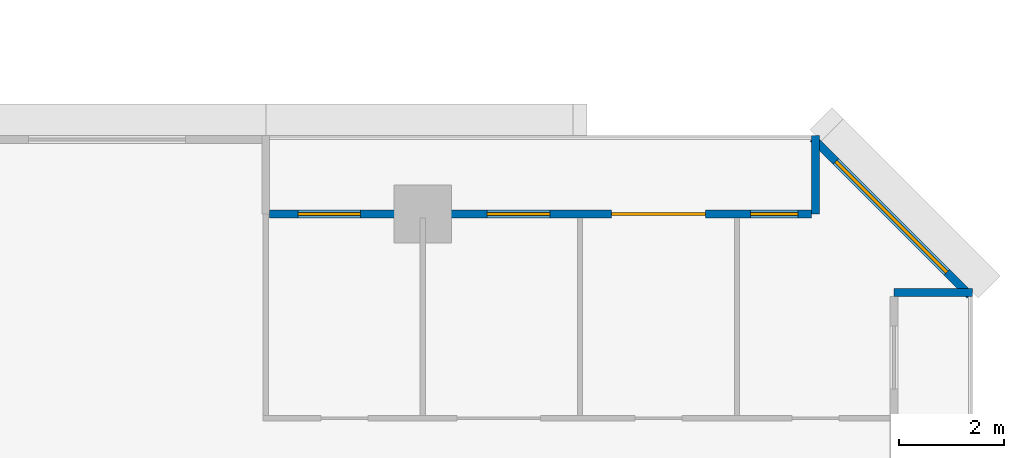
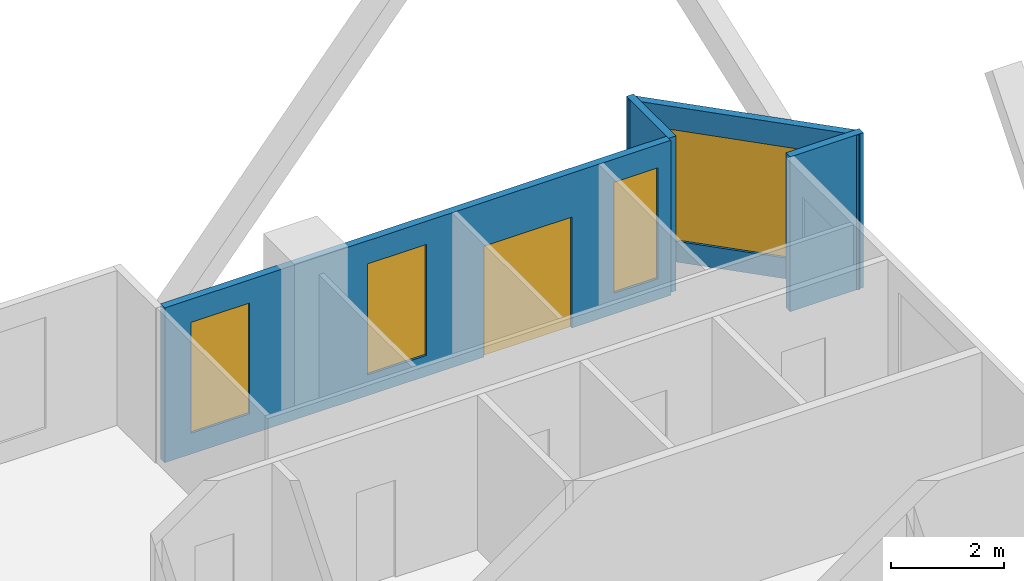
# One storey, part 13 of 16: 4 walls, 4 windows, 1 door, 5 openings.
"""IFC4 building model written with IfcOpenShell, lengths in metres."""

from ifc_helpers import new_model, si_unit, direction, frame, frame_2d, origin, place, context, subcontext, project, spatial, rectangle, extrude, material, layer, layer_set, type_object, element, fill, save


model = new_model("IFC4")

# Units and contexts
model_context = context("Model", 3, precision=1e-05, world=origin(), true_north=direction((0.0, 1.0)))
body_context = subcontext(model_context, "Body", "Model", "MODEL_VIEW")
ifc_project = project(units=[si_unit("LENGTHUNIT", "METRE"), si_unit("AREAUNIT", "SQUARE_METRE"), si_unit("VOLUMEUNIT", "CUBIC_METRE"), si_unit("PLANEANGLEUNIT", "RADIAN"), si_unit("MASSUNIT", "GRAM", prefix="KILO")], contexts=[model_context])

# Site, building, storey
site_placement = place(None, origin())
site = spatial("IfcSite", under=ifc_project, at=site_placement, CompositionType="ELEMENT")
building_placement = place(site_placement, origin())
building = spatial("IfcBuilding", under=site, at=building_placement, Name="Chenar Terraces", CompositionType="ELEMENT")
storey_placement = place(building_placement, frame((0.0, 0.0, 71.39990234375)))
storey = spatial("IfcBuildingStorey", under=building, at=storey_placement, Name="L15", CompositionType="ELEMENT", Elevation=71.39990234375)

# Wall, openings, windows, door
ifc_material_1 = material(Name="Aluminium framed glazing", Category="aluminium")
ifc_layer_1 = layer(ifc_material_1, 0.14990234375)
ifc_layer_set_1 = layer_set([ifc_layer_1], Name="Aluminium framed glazing")
wall_type_1 = type_object("IfcWallType", Name="Glazed loggia back wall 150", PredefinedType="SOLIDWALL", material=ifc_layer_set_1)
wall_1_placement = place(storey_placement, frame((70.425048828125, 24.0, 0.0), z_axis=(0.0, 0.0, 1.0), x_axis=(-1.0, 0.0, 0.0)))
wall_1 = element("IfcWall", 1, at=wall_1_placement, inside=storey, type_object=wall_type_1, Name="Glazed loggia back wall", PredefinedType="SOLIDWALL", context=body_context, shape_type="SweptSolid", body=[
    extrude(rectangle(XDim=10.35009765625, YDim=0.14990234375, at=frame_2d((5.175048828125, 0.0))), origin(), (0.0, 0.0, 1.0), 3.35009765625),
])
opening_1_placement = place(wall_1_placement, frame((0.262451171875, 0.0, 0.449951171875)))
opening_1 = element("IfcOpeningElement", 2, at=opening_1_placement, cuts=wall_1, Name="Opening W90x240", PredefinedType="OPENING", context=body_context, shape_type="SweptSolid", body=[
    extrude(rectangle(XDim=0.89990234375, YDim=2.39990234375, at=frame_2d((0.449951171875, 1.199951171875))), frame((0.0, 0.0849609375, 0.0), z_axis=(0.0, -1.0, 0.0), x_axis=(1.0, 0.0, 0.0)), (0.0, 0.0, 1.0), 0.169921875),
])
opening_2_placement = place(wall_1_placement, frame((2.02490234375, 0.0, 0.0)))
opening_2 = element("IfcOpeningElement", 3, at=opening_2_placement, cuts=wall_1, Name="Opening DL15-G1", PredefinedType="OPENING", context=body_context, shape_type="SweptSolid", body=[
    extrude(rectangle(XDim=1.800048828125, YDim=2.39990234375, at=frame_2d((0.89990234375, 1.199951171875))), frame((0.0, 0.0849609375, 0.0), z_axis=(0.0, -1.0, 0.0), x_axis=(1.0, 0.0, 0.0)), (0.0, 0.0, 1.0), 0.169921875),
])
opening_3_placement = place(wall_1_placement, frame((5.0, 0.0, 0.449951171875)))
opening_3 = element("IfcOpeningElement", 4, at=opening_3_placement, cuts=wall_1, Name="Opening W120x240", PredefinedType="OPENING", context=body_context, shape_type="SweptSolid", body=[
    extrude(rectangle(XDim=1.199951171875, YDim=2.39990234375, at=frame_2d((0.60009765625, 1.199951171875))), frame((0.0, 0.0849609375, 0.0), z_axis=(0.0, -1.0, 0.0), x_axis=(1.0, 0.0, 0.0)), (0.0, 0.0, 1.0), 0.169921875),
])
opening_4_placement = place(wall_1_placement, frame((8.612548828125, 0.0, 0.449951171875)))
opening_4 = element("IfcOpeningElement", 5, at=opening_4_placement, cuts=wall_1, Name="Opening W120x240", PredefinedType="OPENING", context=body_context, shape_type="SweptSolid", body=[
    extrude(rectangle(XDim=1.199951171875, YDim=2.39990234375, at=frame_2d((0.60009765625, 1.199951171875))), frame((0.0, 0.0849609375, 0.0), z_axis=(0.0, -1.0, 0.0), x_axis=(1.0, 0.0, 0.0)), (0.0, 0.0, 1.0), 0.169921875),
])
ifc_material_2 = material(Name="Low emissivity double glazing, aluminium frame", Category="aluminium")
window_type_1 = type_object("IfcWindowType", Name="Fixed light 1200 x 2400", PartitioningType="SINGLE_PANEL", PredefinedType="WINDOW", material=ifc_material_2)
window_1_placement = place(opening_3_placement, origin())
window_1 = element("IfcWindow", 6, at=window_1_placement, inside=storey, type_object=window_type_1, Name="Window", OverallHeight=2.39990234375, OverallWidth=1.199951171875, PartitioningType="SINGLE_PANEL", PredefinedType="WINDOW", context=body_context, shape_type="SweptSolid", body=[
    extrude(rectangle(XDim=1.199951171875, YDim=2.39990234375, at=frame_2d((0.60009765625, 1.199951171875))), frame((0.0, 0.030029296875, 0.0), z_axis=(0.0, -1.0, 0.0), x_axis=(1.0, 0.0, 0.0)), (0.0, 0.0, 1.0), 0.06005859375),
])
fill(opening_3, window_1)
window_2_placement = place(opening_4_placement, origin())
window_2 = element("IfcWindow", 7, at=window_2_placement, inside=storey, type_object=window_type_1, Name="Window", OverallHeight=2.39990234375, OverallWidth=1.199951171875, PartitioningType="SINGLE_PANEL", PredefinedType="WINDOW", context=body_context, shape_type="SweptSolid", body=[
    extrude(rectangle(XDim=1.199951171875, YDim=2.39990234375, at=frame_2d((0.60009765625, 1.199951171875))), frame((0.0, 0.030029296875, 0.0), z_axis=(0.0, -1.0, 0.0), x_axis=(1.0, 0.0, 0.0)), (0.0, 0.0, 1.0), 0.06005859375),
])
fill(opening_4, window_2)
ifc_material_3 = material(Name="Low emissivity double glazing, aluminium frame", Category="aluminium")
window_type_2 = type_object("IfcWindowType", Name="Fixed light 900 x 2400", PartitioningType="SINGLE_PANEL", PredefinedType="WINDOW", material=ifc_material_3)
window_3_placement = place(opening_1_placement, origin())
window_3 = element("IfcWindow", 8, at=window_3_placement, inside=storey, type_object=window_type_2, Name="Window", OverallHeight=2.39990234375, OverallWidth=0.89990234375, PartitioningType="SINGLE_PANEL", PredefinedType="WINDOW", context=body_context, shape_type="SweptSolid", body=[
    extrude(rectangle(XDim=0.89990234375, YDim=2.39990234375, at=frame_2d((0.449951171875, 1.199951171875))), frame((0.0, 0.030029296875, 0.0), z_axis=(0.0, -1.0, 0.0), x_axis=(1.0, 0.0, 0.0)), (0.0, 0.0, 1.0), 0.06005859375),
])
fill(opening_1, window_3)
ifc_material_4 = material(Name="Low emissivity double glazing, aluminium frame", Category="aluminium")
door_type = type_object("IfcDoorType", Name="Loggia glazed double door 1800 x 2400", OperationType="DOUBLE_DOOR_SINGLE_SWING", PredefinedType="DOOR", material=ifc_material_4)
door_placement = place(opening_2_placement, frame((1.800048828125, 0.0, 0.0), z_axis=(0.0, 0.0, 1.0), x_axis=(-1.0, 0.0, 0.0)))
door = element("IfcDoor", 9, at=door_placement, inside=storey, type_object=door_type, Name="Loggia glazed door", OperationType="DOUBLE_DOOR_SINGLE_SWING", OverallHeight=2.39990234375, OverallWidth=1.800048828125, PredefinedType="DOOR", context=body_context, shape_type="SweptSolid", body=[
    extrude(rectangle(XDim=1.800048828125, YDim=2.39990234375, at=frame_2d((0.89990234375, 1.199951171875))), frame((0.0, 0.02490234375, 0.0), z_axis=(0.0, -1.0, 0.0), x_axis=(1.0, 0.0, 0.0)), (0.0, 0.0, 1.0), 0.050048828125),
])
fill(opening_2, door)

# Walls
ifc_material_5 = material(Name="Terracotta cladding on insulated backing", Category="masonry")
ifc_layer_2 = layer(ifc_material_5, 0.14990234375)
ifc_layer_set_2 = layer_set([ifc_layer_2], Name="Terracotta cladding on insulated backing")
wall_type_2 = type_object("IfcWallType", Name="Loggia return wall 150", PredefinedType="SOLIDWALL", material=ifc_layer_set_2)
for number, where, z_axis, x_axis, name in (
    (10, (70.5, 25.5, 0.0), (0.0, 0.0, 1.0), (0.0, -1.0, 0.0), "Loggia return wall"),
    (11, (73.5, 22.5, 0.0), (0.0, 0.0, 1.0), (-1.0, 0.0, 0.0), "Loggia return wall"),
):
    element("IfcWall", number, at=place(storey_placement, frame(where, z_axis=z_axis, x_axis=x_axis)), inside=storey, type_object=wall_type_2, Name=name, PredefinedType="SOLIDWALL", context=body_context, shape_type="SweptSolid", body=[
        extrude(rectangle(XDim=1.5, YDim=0.14990234375, at=frame_2d((0.75, 0.0))), origin(), (0.0, 0.0, 1.0), 3.35009765625),
    ])

# Wall, opening, window
ifc_material_6 = material(Name="Terracotta cladding on insulated backing", Category="masonry")
ifc_layer_3 = layer(ifc_material_6, 0.14990234375)
ifc_layer_set_3 = layer_set([ifc_layer_3], Name="Terracotta cladding on insulated backing")
wall_type_3 = type_object("IfcWallType", Name="Terracotta rainscreen wall 150", PredefinedType="SOLIDWALL", material=ifc_layer_set_3)
wall_2_placement = place(storey_placement, frame((73.447021484375, 22.447021484375, 0.0), z_axis=(0.0, 0.0, 1.0), x_axis=(-0.707106781187, 0.707106781187, 0.0)))
wall_2 = element("IfcWall", 12, at=wall_2_placement, inside=storey, type_object=wall_type_3, Name="Terracotta rainscreen wall", PredefinedType="SOLIDWALL", context=body_context, shape_type="SweptSolid", body=[
    extrude(rectangle(XDim=4.24267578125, YDim=0.14990234375, at=frame_2d((2.121337890625, 0.0))), origin(), (0.0, 0.0, 1.0), 3.35009765625),
])
opening_5_placement = place(wall_2_placement, frame((0.621337890625, 0.0, 0.449951171875)))
opening_5 = element("IfcOpeningElement", 13, at=opening_5_placement, cuts=wall_2, Name="Opening W300x240", PredefinedType="OPENING", context=body_context, shape_type="SweptSolid", body=[
    extrude(rectangle(XDim=3.0, YDim=2.39990234375, at=frame_2d((1.5, 1.199951171875))), frame((0.0, 0.0849609375, 0.0), z_axis=(0.0, -1.0, 0.0), x_axis=(1.0, 0.0, 0.0)), (0.0, 0.0, 1.0), 0.169921875),
])
ifc_material_7 = material(Name="Low emissivity double glazing, aluminium frame", Category="aluminium")
window_type_3 = type_object("IfcWindowType", Name="Fixed light 3000 x 2400", PartitioningType="SINGLE_PANEL", PredefinedType="WINDOW", material=ifc_material_7)
window_4_placement = place(opening_5_placement, origin())
window_4 = element("IfcWindow", 14, at=window_4_placement, inside=storey, type_object=window_type_3, Name="Window", OverallHeight=2.39990234375, OverallWidth=3.0, PartitioningType="SINGLE_PANEL", PredefinedType="WINDOW", context=body_context, shape_type="SweptSolid", body=[
    extrude(rectangle(XDim=3.0, YDim=2.39990234375, at=frame_2d((1.5, 1.199951171875))), frame((0.0, 0.030029296875, 0.0), z_axis=(0.0, -1.0, 0.0), x_axis=(1.0, 0.0, 0.0)), (0.0, 0.0, 1.0), 0.06005859375),
])
fill(opening_5, window_4)

save(model, "model.ifc")
